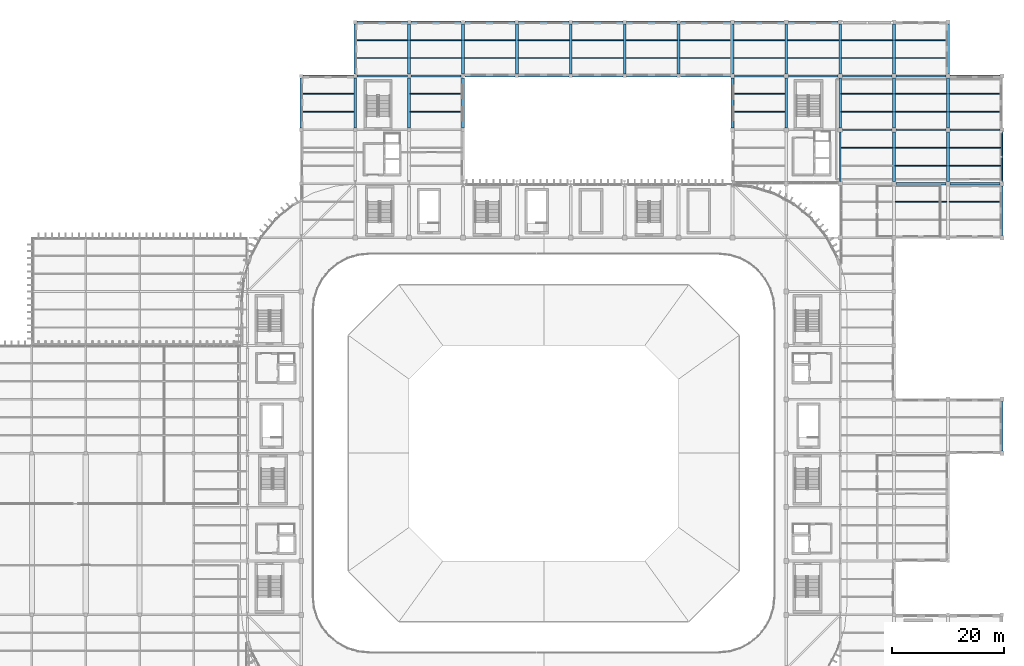
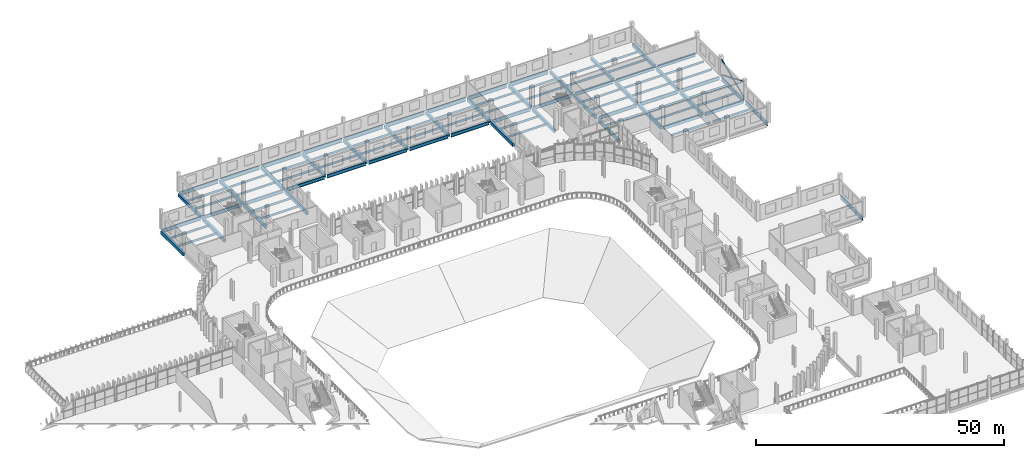
# One storey, part 47 of 99: 95 beams, 3 members.
"""IFC4 building model written with IfcOpenShell, lengths in metres."""

from ifc_helpers import new_model, si_unit, direction, frame, origin, origin_2d, place, context, subcontext, project, spatial, rectangle, hollow_rectangle, i_section, extrude, material, material_profile, profile_set, type_object, element, save


model = new_model("IFC4")

# Units and contexts
model_context = context("Model", 3, precision=1e-05, world=origin(), true_north=direction((0.0, 1.0)))
body_context = subcontext(model_context, "Body", "Model", "MODEL_VIEW")
ifc_project = project(units=[si_unit("LENGTHUNIT", "METRE"), si_unit("AREAUNIT", "SQUARE_METRE"), si_unit("VOLUMEUNIT", "CUBIC_METRE"), si_unit("PLANEANGLEUNIT", "RADIAN"), si_unit("MASSUNIT", "GRAM", prefix="KILO")], contexts=[model_context])

# Site, building, storey
site_placement = place(None, origin())
site = spatial("IfcSite", under=ifc_project, at=site_placement, CompositionType="ELEMENT")
building_placement = place(site_placement, origin())
building = spatial("IfcBuilding", under=site, at=building_placement, Name="Caelomonte Colonnade Arena", CompositionType="ELEMENT")
storey_placement = place(building_placement, frame((0.0, 0.0, 4.800048828125)))
storey = spatial("IfcBuildingStorey", under=building, at=storey_placement, Name="L01", CompositionType="ELEMENT", Elevation=4.800048828125)

# Members
ifc_material_1 = material(Name="Steel ASTM A500 Grade C", Category="steel")
ifc_material_profile_1 = material_profile(ifc_material_1, hollow_rectangle(XDim=0.25390625, YDim=0.25390625, WallThickness=0.009521484375, InnerFilletRadius=0.009521484375, OuterFilletRadius=0.01904296875, at=origin_2d()), Name="HSS254X254X9.5")
ifc_profile_set_1 = profile_set([ifc_material_profile_1], Name="Steel ASTM A500 Grade C")
member_type = type_object("IfcMemberType", Name="STR-BF-DIAG2", PredefinedType="BRACE", material=ifc_profile_set_1)
member_placement = place(storey_placement, frame((192.0, 115.563720703125, 0.16162109375), z_axis=(0.0, 0.91936602126, 0.393403252342), x_axis=(-1.0, 0.0, 0.0)))
element("IfcMember", 1, at=member_placement, inside=storey, type_object=member_type, Name="Braced frame BF4 L01 continuous diagonal A", PredefinedType="BRACE", context=body_context, shape_type="SweptSolid", body=[
    extrude(hollow_rectangle(XDim=0.25390625, YDim=0.25390625, WallThickness=0.009521484375, InnerFilletRadius=0.009521484375, OuterFilletRadius=0.01904296875, at=origin_2d()), origin(), (0.0, 0.0, 1.0), 9.650634765625),
])
for number, where, z_axis, x_axis, name in (
    (2, (192.0, 124.436279296875, 0.16162109375), (0.0, -0.919367033024, 0.393400887885), (1.0, 0.0, 0.0), "Braced frame BF4 L01 split diagonal B1"),
    (3, (192.0, 119.84912109375, 2.12451171875), (0.0, -0.919367033024, 0.393400887885), (1.0, 0.0, 0.0), "Braced frame BF4 L01 split diagonal B2"),
):
    element("IfcMember", number, at=place(storey_placement, frame(where, z_axis=z_axis, x_axis=x_axis)), inside=storey, type_object=member_type, Name=name, PredefinedType="BRACE", context=body_context, shape_type="SweptSolid", body=[
        extrude(hollow_rectangle(XDim=0.25390625, YDim=0.25390625, WallThickness=0.009521484375, InnerFilletRadius=0.009521484375, OuterFilletRadius=0.01904296875, at=origin_2d()), origin(), (0.0, 0.0, 1.0), 4.6611328125),
    ])

# Beams
ifc_material_2 = material(Name="Wide-flange steel ASTM A992 Grade 50", Category="steel")
ifc_material_profile_2 = material_profile(ifc_material_2, i_section(OverallWidth=0.307861328125, OverallDepth=0.927001953125, WebThickness=0.019287109375, FlangeThickness=0.031982421875, FilletRadius=0.020263671875, at=origin_2d()), Name="W36X194")
ifc_profile_set_2 = profile_set([ifc_material_profile_2], Name="Wide-flange steel ASTM A992 Grade 50")
beam_type_1 = type_object("IfcBeamType", Name="STR-BM-EAVES2", PredefinedType="SPANDREL", material=ifc_profile_set_2)
for number, where, z_axis, x_axis, name in (
    (4, (77.116943359375, 144.0, -0.763427734375), (1.0, 0.0, 0.0), (0.0, 1.0, 0.0), "L01 girder BMX-L01-0768-1440"),
    (5, (86.717041015625, 144.0, -0.763427734375), (1.0, 0.0, 0.0), (0.0, 1.0, 0.0), "L01 girder BMX-L01-0864-1440"),
    (6, (96.31689453125, 144.0, -0.763427734375), (1.0, 0.0, 0.0), (0.0, 1.0, 0.0), "L01 girder BMX-L01-0960-1440"),
    (7, (105.9169921875, 144.0, -0.763427734375), (1.0, 0.0, 0.0), (0.0, 1.0, 0.0), "L01 girder BMX-L01-1056-1440"),
):
    element("IfcBeam", number, at=place(storey_placement, frame(where, z_axis=z_axis, x_axis=x_axis)), inside=storey, type_object=beam_type_1, Name=name, PredefinedType="SPANDREL", context=body_context, shape_type="SweptSolid", body=[
        extrude(i_section(OverallWidth=0.307861328125, OverallDepth=0.927001953125, WebThickness=0.019287109375, FlangeThickness=0.031982421875, FilletRadius=0.020263671875, at=origin_2d()), origin(), (0.0, 0.0, 1.0), 8.966064453125),
    ])
beam_1_placement = place(storey_placement, frame((115.51708984375, 144.0, -0.763427734375), z_axis=(1.0, 0.0, 0.0), x_axis=(0.0, 1.0, 0.0)))
element("IfcBeam", 8, at=beam_1_placement, inside=storey, type_object=beam_type_1, Name="L01 girder BMX-L01-1152-1440", PredefinedType="SPANDREL", context=body_context, shape_type="SweptSolid", body=[
    extrude(i_section(OverallWidth=0.307861328125, OverallDepth=0.927001953125, WebThickness=0.019287109375, FlangeThickness=0.031982421875, FilletRadius=0.020263671875, at=origin_2d()), origin(), (0.0, 0.0, 1.0), 8.9658203125),
])
beam_2_placement = place(storey_placement, frame((125.116943359375, 144.0, -0.763427734375), z_axis=(1.0, 0.0, 0.0), x_axis=(0.0, 1.0, 0.0)))
element("IfcBeam", 9, at=beam_2_placement, inside=storey, type_object=beam_type_1, Name="L01 girder BMX-L01-1248-1440", PredefinedType="SPANDREL", context=body_context, shape_type="SweptSolid", body=[
    extrude(i_section(OverallWidth=0.307861328125, OverallDepth=0.927001953125, WebThickness=0.019287109375, FlangeThickness=0.031982421875, FilletRadius=0.020263671875, at=origin_2d()), origin(), (0.0, 0.0, 1.0), 8.966064453125),
])
beam_3_placement = place(storey_placement, frame((134.717041015625, 144.0, -0.763427734375), z_axis=(1.0, 0.0, 0.0), x_axis=(0.0, 1.0, 0.0)))
element("IfcBeam", 10, at=beam_3_placement, inside=storey, type_object=beam_type_1, Name="L01 girder BMX-L01-1344-1440", PredefinedType="SPANDREL", context=body_context, shape_type="SweptSolid", body=[
    extrude(i_section(OverallWidth=0.307861328125, OverallDepth=0.927001953125, WebThickness=0.019287109375, FlangeThickness=0.031982421875, FilletRadius=0.020263671875, at=origin_2d()), origin(), (0.0, 0.0, 1.0), 8.916015625),
])
for number, where, z_axis, x_axis, name in (
    (11, (144.366943359375, 144.0, -0.763427734375), (1.0, 0.0, 0.0), (0.0, 1.0, 0.0), "L01 girder BMX-L01-1440-1440"),
    (12, (153.967041015625, 144.0, -0.763427734375), (1.0, 0.0, 0.0), (0.0, 1.0, 0.0), "L01 girder BMX-L01-1536-1440"),
):
    element("IfcBeam", number, at=place(storey_placement, frame(where, z_axis=z_axis, x_axis=x_axis)), inside=storey, type_object=beam_type_1, Name=name, PredefinedType="SPANDREL", context=body_context, shape_type="SweptSolid", body=[
        extrude(i_section(OverallWidth=0.307861328125, OverallDepth=0.927001953125, WebThickness=0.019287109375, FlangeThickness=0.031982421875, FilletRadius=0.020263671875, at=origin_2d()), origin(), (0.0, 0.0, 1.0), 8.865966796875),
    ])
for number, where, z_axis, x_axis, name in (
    (13, (163.199951171875, 115.56689453125, -0.763427734375), (0.0, 1.0, 0.0), (-1.0, 0.0, 0.0), "L01 girder BMY-L01-1632-1152"),
    (14, (192.0, 67.56689453125, -0.763427734375), (0.0, 1.0, 0.0), (-1.0, 0.0, 0.0), "L01 girder BMY-L01-1920-0672"),
):
    element("IfcBeam", number, at=place(storey_placement, frame(where, z_axis=z_axis, x_axis=x_axis)), inside=storey, type_object=beam_type_1, Name=name, PredefinedType="SPANDREL", context=body_context, shape_type="SweptSolid", body=[
        extrude(i_section(OverallWidth=0.307861328125, OverallDepth=0.927001953125, WebThickness=0.019287109375, FlangeThickness=0.031982421875, FilletRadius=0.020263671875, at=origin_2d()), origin(), (0.0, 0.0, 1.0), 8.8662109375),
    ])
beam_4_placement = place(storey_placement, frame((192.0, 105.967041015625, -0.763427734375), z_axis=(0.0, 1.0, 0.0), x_axis=(-1.0, 0.0, 0.0)))
element("IfcBeam", 15, at=beam_4_placement, inside=storey, type_object=beam_type_1, Name="L01 girder BMY-L01-1920-1056", PredefinedType="SPANDREL", context=body_context, shape_type="SweptSolid", body=[
    extrude(i_section(OverallWidth=0.307861328125, OverallDepth=0.927001953125, WebThickness=0.019287109375, FlangeThickness=0.031982421875, FilletRadius=0.020263671875, at=origin_2d()), origin(), (0.0, 0.0, 1.0), 8.865966796875),
])
beam_5_placement = place(storey_placement, frame((192.0, 115.56689453125, -0.763427734375), z_axis=(0.0, 1.0, 0.0), x_axis=(-1.0, 0.0, 0.0)))
element("IfcBeam", 16, at=beam_5_placement, inside=storey, type_object=beam_type_1, Name="L01 girder BMY-L01-1920-1152", PredefinedType="SPANDREL", context=body_context, shape_type="SweptSolid", body=[
    extrude(i_section(OverallWidth=0.307861328125, OverallDepth=0.927001953125, WebThickness=0.019287109375, FlangeThickness=0.031982421875, FilletRadius=0.020263671875, at=origin_2d()), origin(), (0.0, 0.0, 1.0), 8.8662109375),
])
ifc_material_profile_3 = material_profile(ifc_material_2, i_section(OverallWidth=0.2919921875, OverallDepth=0.835693359375, WebThickness=0.013916015625, FlangeThickness=0.018798828125, FilletRadius=0.017822265625, at=origin_2d()), Name="W33X118")
ifc_profile_set_3 = profile_set([ifc_material_profile_3], Name="Wide-flange steel ASTM A992 Grade 50")
beam_type_2 = type_object("IfcBeamType", Name="STR-BM-GIRD33B", PredefinedType="BEAM", material=ifc_profile_set_3)
beam_6_placement = place(storey_placement, frame((163.56689453125, 124.800048828125, -0.7177734375), z_axis=(1.0, 0.0, 0.0), x_axis=(0.0, 1.0, 0.0)))
element("IfcBeam", 17, at=beam_6_placement, inside=storey, type_object=beam_type_2, Name="L01 girder BMX-L01-1632-1248", PredefinedType="BEAM", context=body_context, shape_type="SweptSolid", body=[
    extrude(i_section(OverallWidth=0.2919921875, OverallDepth=0.835693359375, WebThickness=0.013916015625, FlangeThickness=0.018798828125, FilletRadius=0.017822265625, at=origin_2d()), origin(), (0.0, 0.0, 1.0), 8.8662109375),
])
for number, where, z_axis, x_axis, name in (
    (18, (173.1669921875, 124.800048828125, -0.7177734375), (1.0, 0.0, 0.0), (0.0, 1.0, 0.0), "L01 girder BMX-L01-1728-1248"),
    (19, (182.76708984375, 124.800048828125, -0.7177734375), (1.0, 0.0, 0.0), (0.0, 1.0, 0.0), "L01 girder BMX-L01-1824-1248"),
):
    element("IfcBeam", number, at=place(storey_placement, frame(where, z_axis=z_axis, x_axis=x_axis)), inside=storey, type_object=beam_type_2, Name=name, PredefinedType="BEAM", context=body_context, shape_type="SweptSolid", body=[
        extrude(i_section(OverallWidth=0.2919921875, OverallDepth=0.835693359375, WebThickness=0.013916015625, FlangeThickness=0.018798828125, FilletRadius=0.017822265625, at=origin_2d()), origin(), (0.0, 0.0, 1.0), 8.865966796875),
    ])
beam_7_placement = place(storey_placement, frame((67.51708984375, 134.39990234375, -0.7177734375), z_axis=(1.0, 0.0, 0.0), x_axis=(0.0, 1.0, 0.0)))
element("IfcBeam", 20, at=beam_7_placement, inside=storey, type_object=beam_type_2, Name="L01 girder BMX-L01-0672-1344", PredefinedType="BEAM", context=body_context, shape_type="SweptSolid", body=[
    extrude(i_section(OverallWidth=0.2919921875, OverallDepth=0.835693359375, WebThickness=0.013916015625, FlangeThickness=0.018798828125, FilletRadius=0.017822265625, at=origin_2d()), origin(), (0.0, 0.0, 1.0), 8.9658203125),
])
for number, where, z_axis, x_axis, name in (
    (21, (77.116943359375, 134.39990234375, -0.7177734375), (1.0, 0.0, 0.0), (0.0, 1.0, 0.0), "L01 girder BMX-L01-0768-1344"),
    (22, (86.717041015625, 134.39990234375, -0.7177734375), (1.0, 0.0, 0.0), (0.0, 1.0, 0.0), "L01 girder BMX-L01-0864-1344"),
    (23, (96.31689453125, 134.39990234375, -0.7177734375), (1.0, 0.0, 0.0), (0.0, 1.0, 0.0), "L01 girder BMX-L01-0960-1344"),
    (24, (105.9169921875, 134.39990234375, -0.7177734375), (1.0, 0.0, 0.0), (0.0, 1.0, 0.0), "L01 girder BMX-L01-1056-1344"),
):
    element("IfcBeam", number, at=place(storey_placement, frame(where, z_axis=z_axis, x_axis=x_axis)), inside=storey, type_object=beam_type_2, Name=name, PredefinedType="BEAM", context=body_context, shape_type="SweptSolid", body=[
        extrude(i_section(OverallWidth=0.2919921875, OverallDepth=0.835693359375, WebThickness=0.013916015625, FlangeThickness=0.018798828125, FilletRadius=0.017822265625, at=origin_2d()), origin(), (0.0, 0.0, 1.0), 8.966064453125),
    ])
beam_8_placement = place(storey_placement, frame((115.51708984375, 134.39990234375, -0.7177734375), z_axis=(1.0, 0.0, 0.0), x_axis=(0.0, 1.0, 0.0)))
element("IfcBeam", 25, at=beam_8_placement, inside=storey, type_object=beam_type_2, Name="L01 girder BMX-L01-1152-1344", PredefinedType="BEAM", context=body_context, shape_type="SweptSolid", body=[
    extrude(i_section(OverallWidth=0.2919921875, OverallDepth=0.835693359375, WebThickness=0.013916015625, FlangeThickness=0.018798828125, FilletRadius=0.017822265625, at=origin_2d()), origin(), (0.0, 0.0, 1.0), 8.9658203125),
])
beam_9_placement = place(storey_placement, frame((125.116943359375, 134.39990234375, -0.7177734375), z_axis=(1.0, 0.0, 0.0), x_axis=(0.0, 1.0, 0.0)))
element("IfcBeam", 26, at=beam_9_placement, inside=storey, type_object=beam_type_2, Name="L01 girder BMX-L01-1248-1344", PredefinedType="BEAM", context=body_context, shape_type="SweptSolid", body=[
    extrude(i_section(OverallWidth=0.2919921875, OverallDepth=0.835693359375, WebThickness=0.013916015625, FlangeThickness=0.018798828125, FilletRadius=0.017822265625, at=origin_2d()), origin(), (0.0, 0.0, 1.0), 8.966064453125),
])
beam_10_placement = place(storey_placement, frame((134.717041015625, 134.39990234375, -0.7177734375), z_axis=(1.0, 0.0, 0.0), x_axis=(0.0, 1.0, 0.0)))
element("IfcBeam", 27, at=beam_10_placement, inside=storey, type_object=beam_type_2, Name="L01 girder BMX-L01-1344-1344", PredefinedType="BEAM", context=body_context, shape_type="SweptSolid", body=[
    extrude(i_section(OverallWidth=0.2919921875, OverallDepth=0.835693359375, WebThickness=0.013916015625, FlangeThickness=0.018798828125, FilletRadius=0.017822265625, at=origin_2d()), origin(), (0.0, 0.0, 1.0), 8.916015625),
])
for number, where, z_axis, x_axis, name in (
    (28, (144.366943359375, 134.39990234375, -0.7177734375), (1.0, 0.0, 0.0), (0.0, 1.0, 0.0), "L01 girder BMX-L01-1440-1344"),
    (29, (153.967041015625, 134.39990234375, -0.7177734375), (1.0, 0.0, 0.0), (0.0, 1.0, 0.0), "L01 girder BMX-L01-1536-1344"),
):
    element("IfcBeam", number, at=place(storey_placement, frame(where, z_axis=z_axis, x_axis=x_axis)), inside=storey, type_object=beam_type_2, Name=name, PredefinedType="BEAM", context=body_context, shape_type="SweptSolid", body=[
        extrude(i_section(OverallWidth=0.2919921875, OverallDepth=0.835693359375, WebThickness=0.013916015625, FlangeThickness=0.018798828125, FilletRadius=0.017822265625, at=origin_2d()), origin(), (0.0, 0.0, 1.0), 8.865966796875),
    ])
beam_11_placement = place(storey_placement, frame((163.56689453125, 134.39990234375, -0.7177734375), z_axis=(1.0, 0.0, 0.0), x_axis=(0.0, 1.0, 0.0)))
element("IfcBeam", 30, at=beam_11_placement, inside=storey, type_object=beam_type_2, Name="L01 girder BMX-L01-1632-1344", PredefinedType="BEAM", context=body_context, shape_type="SweptSolid", body=[
    extrude(i_section(OverallWidth=0.2919921875, OverallDepth=0.835693359375, WebThickness=0.013916015625, FlangeThickness=0.018798828125, FilletRadius=0.017822265625, at=origin_2d()), origin(), (0.0, 0.0, 1.0), 8.8662109375),
])
for number, where, z_axis, x_axis, name in (
    (31, (173.1669921875, 134.39990234375, -0.7177734375), (1.0, 0.0, 0.0), (0.0, 1.0, 0.0), "L01 girder BMX-L01-1728-1344"),
    (32, (182.76708984375, 134.39990234375, -0.7177734375), (1.0, 0.0, 0.0), (0.0, 1.0, 0.0), "L01 girder BMX-L01-1824-1344"),
):
    element("IfcBeam", number, at=place(storey_placement, frame(where, z_axis=z_axis, x_axis=x_axis)), inside=storey, type_object=beam_type_2, Name=name, PredefinedType="BEAM", context=body_context, shape_type="SweptSolid", body=[
        extrude(i_section(OverallWidth=0.2919921875, OverallDepth=0.835693359375, WebThickness=0.013916015625, FlangeThickness=0.018798828125, FilletRadius=0.017822265625, at=origin_2d()), origin(), (0.0, 0.0, 1.0), 8.865966796875),
    ])
ifc_material_profile_4 = material_profile(ifc_material_2, i_section(OverallWidth=0.166015625, OverallDepth=0.5283203125, WebThickness=0.009765625, FlangeThickness=0.013671875, FilletRadius=0.0126953125, at=origin_2d()), Name="W21X50")
ifc_profile_set_4 = profile_set([ifc_material_profile_4], Name="Wide-flange steel ASTM A992 Grade 50")
beam_type_3 = type_object("IfcBeamType", Name="STR-BM-JOIST21B", PredefinedType="JOIST", material=ifc_profile_set_4)
for number, where, z_axis, x_axis, name in (
    (33, (67.445068359375, 128.0, -0.564208984375), (1.0, 0.0, 0.0), (0.0, 1.0, 0.0), "L01 secondary joist 1"),
    (34, (67.445068359375, 131.199951171875, -0.564208984375), (1.0, 0.0, 0.0), (0.0, 1.0, 0.0), "L01 secondary joist 2"),
):
    element("IfcBeam", number, at=place(storey_placement, frame(where, z_axis=z_axis, x_axis=x_axis)), inside=storey, type_object=beam_type_3, Name=name, PredefinedType="JOIST", context=body_context, shape_type="SweptSolid", body=[
        extrude(i_section(OverallWidth=0.166015625, OverallDepth=0.5283203125, WebThickness=0.009765625, FlangeThickness=0.013671875, FilletRadius=0.0126953125, at=origin_2d()), origin(), (0.0, 0.0, 1.0), 9.10986328125),
    ])
for number, where, z_axis, x_axis, name in (
    (35, (77.044921875, 137.60009765625, -0.564208984375), (1.0, 0.0, 0.0), (0.0, 1.0, 0.0), "L01 secondary joist 1"),
    (36, (77.044921875, 140.800048828125, -0.564208984375), (1.0, 0.0, 0.0), (0.0, 1.0, 0.0), "L01 secondary joist 2"),
):
    element("IfcBeam", number, at=place(storey_placement, frame(where, z_axis=z_axis, x_axis=x_axis)), inside=storey, type_object=beam_type_3, Name=name, PredefinedType="JOIST", context=body_context, shape_type="SweptSolid", body=[
        extrude(i_section(OverallWidth=0.166015625, OverallDepth=0.5283203125, WebThickness=0.009765625, FlangeThickness=0.013671875, FilletRadius=0.0126953125, at=origin_2d()), origin(), (0.0, 0.0, 1.0), 9.110107421875),
    ])
for number, where, z_axis, x_axis, name in (
    (37, (86.64501953125, 128.0, -0.564208984375), (1.0, 0.0, 0.0), (0.0, 1.0, 0.0), "L01 secondary joist 1"),
    (38, (86.64501953125, 131.199951171875, -0.564208984375), (1.0, 0.0, 0.0), (0.0, 1.0, 0.0), "L01 secondary joist 2"),
    (39, (86.64501953125, 137.60009765625, -0.564208984375), (1.0, 0.0, 0.0), (0.0, 1.0, 0.0), "L01 secondary joist 1"),
    (40, (86.64501953125, 140.800048828125, -0.564208984375), (1.0, 0.0, 0.0), (0.0, 1.0, 0.0), "L01 secondary joist 2"),
    (41, (96.2451171875, 137.60009765625, -0.564208984375), (1.0, 0.0, 0.0), (0.0, 1.0, 0.0), "L01 secondary joist 1"),
    (42, (96.2451171875, 140.800048828125, -0.564208984375), (1.0, 0.0, 0.0), (0.0, 1.0, 0.0), "L01 secondary joist 2"),
):
    element("IfcBeam", number, at=place(storey_placement, frame(where, z_axis=z_axis, x_axis=x_axis)), inside=storey, type_object=beam_type_3, Name=name, PredefinedType="JOIST", context=body_context, shape_type="SweptSolid", body=[
        extrude(i_section(OverallWidth=0.166015625, OverallDepth=0.5283203125, WebThickness=0.009765625, FlangeThickness=0.013671875, FilletRadius=0.0126953125, at=origin_2d()), origin(), (0.0, 0.0, 1.0), 9.10986328125),
    ])
for number, where, z_axis, x_axis, name in (
    (43, (105.844970703125, 137.60009765625, -0.564208984375), (1.0, 0.0, 0.0), (0.0, 1.0, 0.0), "L01 secondary joist 1"),
    (44, (105.844970703125, 140.800048828125, -0.564208984375), (1.0, 0.0, 0.0), (0.0, 1.0, 0.0), "L01 secondary joist 2"),
):
    element("IfcBeam", number, at=place(storey_placement, frame(where, z_axis=z_axis, x_axis=x_axis)), inside=storey, type_object=beam_type_3, Name=name, PredefinedType="JOIST", context=body_context, shape_type="SweptSolid", body=[
        extrude(i_section(OverallWidth=0.166015625, OverallDepth=0.5283203125, WebThickness=0.009765625, FlangeThickness=0.013671875, FilletRadius=0.0126953125, at=origin_2d()), origin(), (0.0, 0.0, 1.0), 9.110107421875),
    ])
for number, where, z_axis, x_axis, name in (
    (45, (115.445068359375, 137.60009765625, -0.564208984375), (1.0, 0.0, 0.0), (0.0, 1.0, 0.0), "L01 secondary joist 1"),
    (46, (115.445068359375, 140.800048828125, -0.564208984375), (1.0, 0.0, 0.0), (0.0, 1.0, 0.0), "L01 secondary joist 2"),
):
    element("IfcBeam", number, at=place(storey_placement, frame(where, z_axis=z_axis, x_axis=x_axis)), inside=storey, type_object=beam_type_3, Name=name, PredefinedType="JOIST", context=body_context, shape_type="SweptSolid", body=[
        extrude(i_section(OverallWidth=0.166015625, OverallDepth=0.5283203125, WebThickness=0.009765625, FlangeThickness=0.013671875, FilletRadius=0.0126953125, at=origin_2d()), origin(), (0.0, 0.0, 1.0), 9.10986328125),
    ])
for number, where, z_axis, x_axis, name in (
    (47, (125.044921875, 137.60009765625, -0.564208984375), (1.0, 0.0, 0.0), (0.0, 1.0, 0.0), "L01 secondary joist 1"),
    (48, (125.044921875, 140.800048828125, -0.564208984375), (1.0, 0.0, 0.0), (0.0, 1.0, 0.0), "L01 secondary joist 2"),
):
    element("IfcBeam", number, at=place(storey_placement, frame(where, z_axis=z_axis, x_axis=x_axis)), inside=storey, type_object=beam_type_3, Name=name, PredefinedType="JOIST", context=body_context, shape_type="SweptSolid", body=[
        extrude(i_section(OverallWidth=0.166015625, OverallDepth=0.5283203125, WebThickness=0.009765625, FlangeThickness=0.013671875, FilletRadius=0.0126953125, at=origin_2d()), origin(), (0.0, 0.0, 1.0), 9.110107421875),
    ])
for number, where, z_axis, x_axis, name in (
    (49, (134.64501953125, 137.60009765625, -0.564208984375), (1.0, 0.0, 0.0), (0.0, 1.0, 0.0), "L01 secondary joist 1"),
    (50, (134.64501953125, 140.800048828125, -0.564208984375), (1.0, 0.0, 0.0), (0.0, 1.0, 0.0), "L01 secondary joist 2"),
    (51, (144.2451171875, 128.0, -0.564208984375), (1.0, 0.0, 0.0), (0.0, 1.0, 0.0), "L01 secondary joist 1"),
    (52, (144.2451171875, 131.199951171875, -0.564208984375), (1.0, 0.0, 0.0), (0.0, 1.0, 0.0), "L01 secondary joist 2"),
    (53, (144.2451171875, 137.60009765625, -0.564208984375), (1.0, 0.0, 0.0), (0.0, 1.0, 0.0), "L01 secondary joist 1"),
    (54, (144.2451171875, 140.800048828125, -0.564208984375), (1.0, 0.0, 0.0), (0.0, 1.0, 0.0), "L01 secondary joist 2"),
):
    element("IfcBeam", number, at=place(storey_placement, frame(where, z_axis=z_axis, x_axis=x_axis)), inside=storey, type_object=beam_type_3, Name=name, PredefinedType="JOIST", context=body_context, shape_type="SweptSolid", body=[
        extrude(i_section(OverallWidth=0.166015625, OverallDepth=0.5283203125, WebThickness=0.009765625, FlangeThickness=0.013671875, FilletRadius=0.0126953125, at=origin_2d()), origin(), (0.0, 0.0, 1.0), 9.10986328125),
    ])
for number, where, z_axis, x_axis, name in (
    (55, (153.844970703125, 137.60009765625, -0.564208984375), (1.0, 0.0, 0.0), (0.0, 1.0, 0.0), "L01 secondary joist 1"),
    (56, (153.844970703125, 140.800048828125, -0.564208984375), (1.0, 0.0, 0.0), (0.0, 1.0, 0.0), "L01 secondary joist 2"),
):
    element("IfcBeam", number, at=place(storey_placement, frame(where, z_axis=z_axis, x_axis=x_axis)), inside=storey, type_object=beam_type_3, Name=name, PredefinedType="JOIST", context=body_context, shape_type="SweptSolid", body=[
        extrude(i_section(OverallWidth=0.166015625, OverallDepth=0.5283203125, WebThickness=0.009765625, FlangeThickness=0.013671875, FilletRadius=0.0126953125, at=origin_2d()), origin(), (0.0, 0.0, 1.0), 9.135009765625),
    ])
beam_12_placement = place(storey_placement, frame((163.348876953125, 121.60009765625, -0.564208984375), z_axis=(1.0, 0.0, 0.0), x_axis=(0.0, 1.0, 0.0)))
element("IfcBeam", 57, at=beam_12_placement, inside=storey, type_object=beam_type_3, Name="L01 secondary joist 2", PredefinedType="JOIST", context=body_context, shape_type="SweptSolid", body=[
    extrude(i_section(OverallWidth=0.166015625, OverallDepth=0.5283203125, WebThickness=0.009765625, FlangeThickness=0.013671875, FilletRadius=0.0126953125, at=origin_2d()), origin(), (0.0, 0.0, 1.0), 9.2060546875),
])
for number, where, z_axis, x_axis, name in (
    (58, (163.419921875, 128.0, -0.564208984375), (1.0, 0.0, 0.0), (0.0, 1.0, 0.0), "L01 secondary joist 1"),
    (59, (163.419921875, 131.199951171875, -0.564208984375), (1.0, 0.0, 0.0), (0.0, 1.0, 0.0), "L01 secondary joist 2"),
    (60, (163.419921875, 137.60009765625, -0.564208984375), (1.0, 0.0, 0.0), (0.0, 1.0, 0.0), "L01 secondary joist 1"),
    (61, (163.419921875, 140.800048828125, -0.564208984375), (1.0, 0.0, 0.0), (0.0, 1.0, 0.0), "L01 secondary joist 2"),
):
    element("IfcBeam", number, at=place(storey_placement, frame(where, z_axis=z_axis, x_axis=x_axis)), inside=storey, type_object=beam_type_3, Name=name, PredefinedType="JOIST", context=body_context, shape_type="SweptSolid", body=[
        extrude(i_section(OverallWidth=0.166015625, OverallDepth=0.5283203125, WebThickness=0.009765625, FlangeThickness=0.013671875, FilletRadius=0.0126953125, at=origin_2d()), origin(), (0.0, 0.0, 1.0), 9.135009765625),
    ])
for number, where, z_axis, x_axis, name in (
    (62, (173.044921875, 112.0, -0.564208984375), (1.0, 0.0, 0.0), (0.0, 1.0, 0.0), "L01 secondary joist 2"),
    (63, (173.044921875, 118.39990234375, -0.564208984375), (1.0, 0.0, 0.0), (0.0, 1.0, 0.0), "L01 secondary joist 1"),
    (64, (173.044921875, 121.60009765625, -0.564208984375), (1.0, 0.0, 0.0), (0.0, 1.0, 0.0), "L01 secondary joist 2"),
    (65, (173.044921875, 128.0, -0.564208984375), (1.0, 0.0, 0.0), (0.0, 1.0, 0.0), "L01 secondary joist 1"),
    (66, (173.044921875, 131.199951171875, -0.564208984375), (1.0, 0.0, 0.0), (0.0, 1.0, 0.0), "L01 secondary joist 2"),
    (67, (173.044921875, 137.60009765625, -0.564208984375), (1.0, 0.0, 0.0), (0.0, 1.0, 0.0), "L01 secondary joist 1"),
    (68, (173.044921875, 140.800048828125, -0.564208984375), (1.0, 0.0, 0.0), (0.0, 1.0, 0.0), "L01 secondary joist 2"),
):
    element("IfcBeam", number, at=place(storey_placement, frame(where, z_axis=z_axis, x_axis=x_axis)), inside=storey, type_object=beam_type_3, Name=name, PredefinedType="JOIST", context=body_context, shape_type="SweptSolid", body=[
        extrude(i_section(OverallWidth=0.166015625, OverallDepth=0.5283203125, WebThickness=0.009765625, FlangeThickness=0.013671875, FilletRadius=0.0126953125, at=origin_2d()), origin(), (0.0, 0.0, 1.0), 9.110107421875),
    ])
for number, where, z_axis, x_axis, name in (
    (69, (182.64501953125, 112.0, -0.564208984375), (1.0, 0.0, 0.0), (0.0, 1.0, 0.0), "L01 secondary joist 2"),
    (70, (182.64501953125, 118.39990234375, -0.564208984375), (1.0, 0.0, 0.0), (0.0, 1.0, 0.0), "L01 secondary joist 1"),
    (71, (182.64501953125, 121.60009765625, -0.564208984375), (1.0, 0.0, 0.0), (0.0, 1.0, 0.0), "L01 secondary joist 2"),
):
    element("IfcBeam", number, at=place(storey_placement, frame(where, z_axis=z_axis, x_axis=x_axis)), inside=storey, type_object=beam_type_3, Name=name, PredefinedType="JOIST", context=body_context, shape_type="SweptSolid", body=[
        extrude(i_section(OverallWidth=0.166015625, OverallDepth=0.5283203125, WebThickness=0.009765625, FlangeThickness=0.013671875, FilletRadius=0.0126953125, at=origin_2d()), origin(), (0.0, 0.0, 1.0), 9.2060546875),
    ])
for number, where, z_axis, x_axis, name in (
    (72, (182.64501953125, 128.0, -0.564208984375), (1.0, 0.0, 0.0), (0.0, 1.0, 0.0), "L01 secondary joist 1"),
    (73, (182.64501953125, 131.199951171875, -0.564208984375), (1.0, 0.0, 0.0), (0.0, 1.0, 0.0), "L01 secondary joist 2"),
):
    element("IfcBeam", number, at=place(storey_placement, frame(where, z_axis=z_axis, x_axis=x_axis)), inside=storey, type_object=beam_type_3, Name=name, PredefinedType="JOIST", context=body_context, shape_type="SweptSolid", body=[
        extrude(i_section(OverallWidth=0.166015625, OverallDepth=0.5283203125, WebThickness=0.009765625, FlangeThickness=0.013671875, FilletRadius=0.0126953125, at=origin_2d()), origin(), (0.0, 0.0, 1.0), 9.135009765625),
    ])
ifc_material_3 = material(Name="Concrete C40/50", Category="concrete")
ifc_material_profile_5 = material_profile(ifc_material_3, rectangle(XDim=0.5, YDim=0.800048828125, at=origin_2d()), Name="RC500X800")
ifc_profile_set_5 = profile_set([ifc_material_profile_5], Name="Concrete C40/50")
beam_type_4 = type_object("IfcBeamType", Name="STR-BM-RC50", PredefinedType="BEAM", material=ifc_profile_set_5)
for number, where, z_axis, x_axis, name in (
    (74, (67.199951171875, 125.116943359375, -0.699951171875), (0.0, 1.0, 0.0), (-1.0, 0.0, 0.0), "L01 girder BMY-L01-0672-1248"),
    (75, (76.800048828125, 125.116943359375, -0.699951171875), (0.0, 1.0, 0.0), (-1.0, 0.0, 0.0), "L01 girder BMY-L01-0768-1248"),
    (76, (76.800048828125, 134.717041015625, -0.699951171875), (0.0, 1.0, 0.0), (-1.0, 0.0, 0.0), "L01 girder BMY-L01-0768-1344"),
    (77, (86.39990234375, 125.116943359375, -0.699951171875), (0.0, 1.0, 0.0), (-1.0, 0.0, 0.0), "L01 girder BMY-L01-0864-1248"),
    (78, (86.39990234375, 134.717041015625, -0.699951171875), (0.0, 1.0, 0.0), (-1.0, 0.0, 0.0), "L01 girder BMY-L01-0864-1344"),
    (79, (96.0, 125.116943359375, -0.699951171875), (0.0, 1.0, 0.0), (-1.0, 0.0, 0.0), "L01 girder BMY-L01-0960-1248"),
    (80, (96.0, 134.717041015625, -0.699951171875), (0.0, 1.0, 0.0), (-1.0, 0.0, 0.0), "L01 girder BMY-L01-0960-1344"),
    (81, (105.60009765625, 134.717041015625, -0.699951171875), (0.0, 1.0, 0.0), (-1.0, 0.0, 0.0), "L01 girder BMY-L01-1056-1344"),
    (82, (115.199951171875, 134.717041015625, -0.699951171875), (0.0, 1.0, 0.0), (-1.0, 0.0, 0.0), "L01 girder BMY-L01-1152-1344"),
    (83, (124.800048828125, 134.717041015625, -0.699951171875), (0.0, 1.0, 0.0), (-1.0, 0.0, 0.0), "L01 girder BMY-L01-1248-1344"),
    (84, (134.39990234375, 134.717041015625, -0.699951171875), (0.0, 1.0, 0.0), (-1.0, 0.0, 0.0), "L01 girder BMY-L01-1344-1344"),
):
    element("IfcBeam", number, at=place(storey_placement, frame(where, z_axis=z_axis, x_axis=x_axis)), inside=storey, type_object=beam_type_4, Name=name, PredefinedType="BEAM", context=body_context, shape_type="SweptSolid", body=[
        extrude(rectangle(XDim=0.5, YDim=0.800048828125, at=origin_2d()), origin(), (0.0, 0.0, 1.0), 8.966064453125),
    ])
for number, where, z_axis, x_axis, name in (
    (85, (144.0, 125.1669921875, -0.699951171875), (0.0, 1.0, 0.0), (-1.0, 0.0, 0.0), "L01 girder BMY-L01-1440-1248"),
    (86, (144.0, 134.76708984375, -0.699951171875), (0.0, 1.0, 0.0), (-1.0, 0.0, 0.0), "L01 girder BMY-L01-1440-1344"),
    (87, (153.60009765625, 125.1669921875, -0.699951171875), (0.0, 1.0, 0.0), (-1.0, 0.0, 0.0), "L01 girder BMY-L01-1536-1248"),
    (88, (153.60009765625, 134.76708984375, -0.699951171875), (0.0, 1.0, 0.0), (-1.0, 0.0, 0.0), "L01 girder BMY-L01-1536-1344"),
):
    element("IfcBeam", number, at=place(storey_placement, frame(where, z_axis=z_axis, x_axis=x_axis)), inside=storey, type_object=beam_type_4, Name=name, PredefinedType="BEAM", context=body_context, shape_type="SweptSolid", body=[
        extrude(rectangle(XDim=0.5, YDim=0.800048828125, at=origin_2d()), origin(), (0.0, 0.0, 1.0), 8.865966796875),
    ])
beam_13_placement = place(storey_placement, frame((172.800048828125, 115.56689453125, -0.699951171875), z_axis=(0.0, 1.0, 0.0), x_axis=(-1.0, 0.0, 0.0)))
element("IfcBeam", 89, at=beam_13_placement, inside=storey, type_object=beam_type_4, Name="L01 girder BMY-L01-1728-1152", PredefinedType="BEAM", context=body_context, shape_type="SweptSolid", body=[
    extrude(rectangle(XDim=0.5, YDim=0.800048828125, at=origin_2d()), origin(), (0.0, 0.0, 1.0), 8.8662109375),
])
for number, where, z_axis, x_axis, name in (
    (90, (172.800048828125, 125.1669921875, -0.699951171875), (0.0, 1.0, 0.0), (-1.0, 0.0, 0.0), "L01 girder BMY-L01-1728-1248"),
    (91, (172.800048828125, 134.76708984375, -0.699951171875), (0.0, 1.0, 0.0), (-1.0, 0.0, 0.0), "L01 girder BMY-L01-1728-1344"),
):
    element("IfcBeam", number, at=place(storey_placement, frame(where, z_axis=z_axis, x_axis=x_axis)), inside=storey, type_object=beam_type_4, Name=name, PredefinedType="BEAM", context=body_context, shape_type="SweptSolid", body=[
        extrude(rectangle(XDim=0.5, YDim=0.800048828125, at=origin_2d()), origin(), (0.0, 0.0, 1.0), 8.865966796875),
    ])
beam_14_placement = place(storey_placement, frame((182.39990234375, 115.56689453125, -0.699951171875), z_axis=(0.0, 1.0, 0.0), x_axis=(-1.0, 0.0, 0.0)))
element("IfcBeam", 92, at=beam_14_placement, inside=storey, type_object=beam_type_4, Name="L01 girder BMY-L01-1824-1152", PredefinedType="BEAM", context=body_context, shape_type="SweptSolid", body=[
    extrude(rectangle(XDim=0.5, YDim=0.800048828125, at=origin_2d()), origin(), (0.0, 0.0, 1.0), 8.8662109375),
])
for number, where, z_axis, x_axis, name in (
    (93, (182.39990234375, 125.1669921875, -0.699951171875), (0.0, 1.0, 0.0), (-1.0, 0.0, 0.0), "L01 girder BMY-L01-1824-1248"),
    (94, (182.39990234375, 134.76708984375, -0.699951171875), (0.0, 1.0, 0.0), (-1.0, 0.0, 0.0), "L01 girder BMY-L01-1824-1344"),
):
    element("IfcBeam", number, at=place(storey_placement, frame(where, z_axis=z_axis, x_axis=x_axis)), inside=storey, type_object=beam_type_4, Name=name, PredefinedType="BEAM", context=body_context, shape_type="SweptSolid", body=[
        extrude(rectangle(XDim=0.5, YDim=0.800048828125, at=origin_2d()), origin(), (0.0, 0.0, 1.0), 8.865966796875),
    ])
ifc_material_profile_6 = material_profile(ifc_material_3, rectangle(XDim=0.449951171875, YDim=0.75, at=origin_2d()), Name="RC450X750")
ifc_profile_set_6 = profile_set([ifc_material_profile_6], Name="Concrete C40/50")
beam_type_5 = type_object("IfcBeamType", Name="STR-BM-SPAN24", PredefinedType="SPANDREL", material=ifc_profile_set_6)
for number, where, z_axis, x_axis, name in (
    (95, (173.1669921875, 115.199951171875, -0.675048828125), (1.0, 0.0, 0.0), (0.0, 1.0, 0.0), "L01 girder BMX-L01-1728-1152"),
    (96, (182.76708984375, 115.199951171875, -0.675048828125), (1.0, 0.0, 0.0), (0.0, 1.0, 0.0), "L01 girder BMX-L01-1824-1152"),
    (97, (163.199951171875, 125.1669921875, -0.675048828125), (0.0, 1.0, 0.0), (-1.0, 0.0, 0.0), "L01 girder BMY-L01-1632-1248"),
    (98, (163.199951171875, 134.76708984375, -0.675048828125), (0.0, 1.0, 0.0), (-1.0, 0.0, 0.0), "L01 girder BMY-L01-1632-1344"),
):
    element("IfcBeam", number, at=place(storey_placement, frame(where, z_axis=z_axis, x_axis=x_axis)), inside=storey, type_object=beam_type_5, Name=name, PredefinedType="SPANDREL", context=body_context, shape_type="SweptSolid", body=[
        extrude(rectangle(XDim=0.449951171875, YDim=0.75, at=origin_2d()), origin(), (0.0, 0.0, 1.0), 8.865966796875),
    ])

save(model, "model.ifc")
